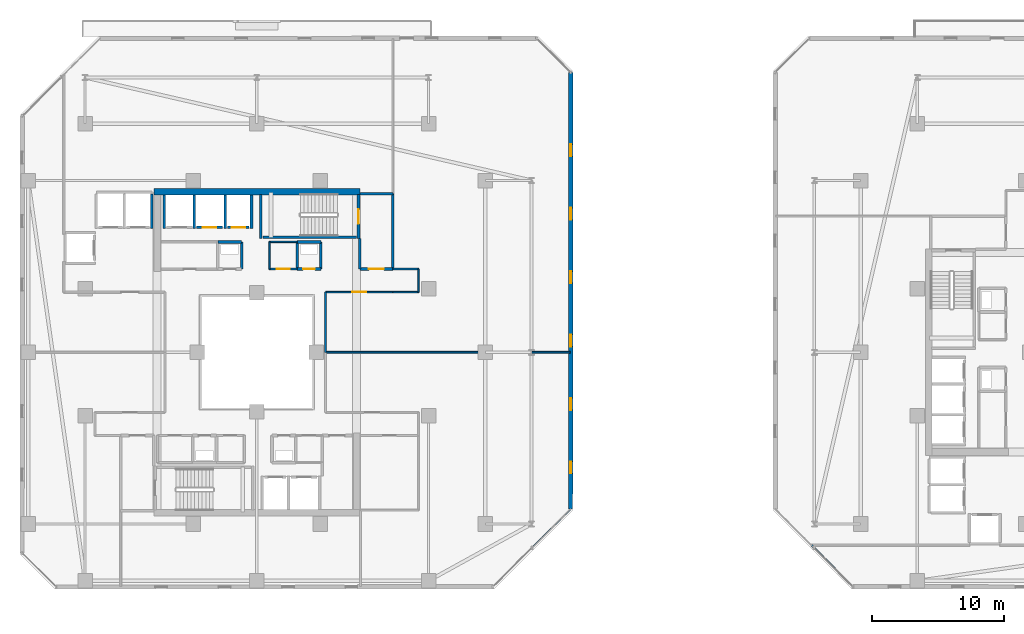
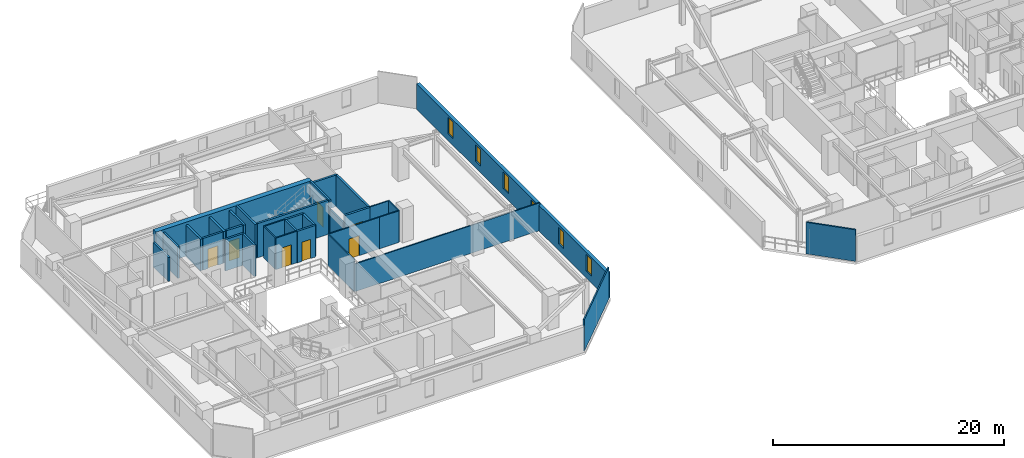
# One storey, part 21 of 32: 33 walls, 7 doors, 6 windows, 13 openings.
"""IFC4 building model written with IfcOpenShell, lengths in metres."""

from ifc_helpers import new_model, si_unit, direction, frame, frame_2d, origin, place, context, subcontext, project, spatial, rectangle, extrude, material, layer, layer_set, type_object, element, fill, save


model = new_model("IFC4")

# Units and contexts
model_context = context("Model", 3, precision=1e-05, world=origin(), true_north=direction((0.0, 1.0)))
body_context = subcontext(model_context, "Body", "Model", "MODEL_VIEW")
ifc_project = project(units=[si_unit("LENGTHUNIT", "METRE"), si_unit("AREAUNIT", "SQUARE_METRE"), si_unit("VOLUMEUNIT", "CUBIC_METRE"), si_unit("PLANEANGLEUNIT", "RADIAN"), si_unit("MASSUNIT", "GRAM", prefix="KILO")], contexts=[model_context])

# Site, building, storey
site_placement = place(None, origin())
site = spatial("IfcSite", under=ifc_project, at=site_placement, CompositionType="ELEMENT")
building_placement = place(site_placement, origin())
building = spatial("IfcBuilding", under=site, at=building_placement, Name="Thornwick Lancets Civic Towers", CompositionType="ELEMENT")
storey_placement = place(building_placement, frame((0.0, 0.0, 178.5)))
storey = spatial("IfcBuildingStorey", under=building, at=storey_placement, Name="L47", CompositionType="ELEMENT", Elevation=178.5)

# Wall, opening, door
ifc_material_1 = material(Name="Concrete blockwork C40/50", Category="masonry")
ifc_layer_1 = layer(ifc_material_1, 0.199951171875, Name="Concrete blockwork C40/50")
ifc_layer_set_1 = layer_set([ifc_layer_1], Name="Concrete blockwork C40/50")
wall_type_1 = type_object("IfcWallType", Name="WALL_COMP_200", PredefinedType="STANDARD", material=ifc_layer_set_1)
wall_1_placement = place(storey_placement, frame((24.919921875, 36.449951171875, 0.0), z_axis=(0.0, 0.0, 1.0), x_axis=(-1.0, 0.0, 0.0)))
wall_1 = element("IfcWall", 1, at=wall_1_placement, inside=storey, type_object=wall_type_1, Name="L47 Hoistway Front Wall FL-A2", PredefinedType="STANDARD", context=body_context, shape_type="SweptSolid", body=[
    extrude(rectangle(XDim=1.639892578125, YDim=0.199951171875, at=frame_2d((0.81982421875, 0.0))), origin(), (0.0, 0.0, 1.0), 3.340087890625),
])
opening_1_placement = place(wall_1_placement, frame((0.31005859375, 0.0, 0.0)))
opening_1 = element("IfcOpeningElement", 2, at=opening_1_placement, cuts=wall_1, Name="Opening LD-FL-A2", PredefinedType="OPENING", context=body_context, shape_type="SweptSolid", body=[
    extrude(rectangle(XDim=1.02001953125, YDim=2.06005859375, at=frame_2d((0.510009765625, 1.030029296875))), frame((0.0, 0.10986328125, 0.0), z_axis=(0.0, -1.0, 0.0), x_axis=(1.0, 0.0, 0.0)), (0.0, 0.0, 1.0), 0.219970703125),
])
ifc_material_2 = material(Name="Brushed bronze stainless steel", Category="steel")
door_type_1 = type_object("IfcDoorType", Name="DOOR_LIFT_SLIDE", OperationType="SLIDING_TO_LEFT", PredefinedType="DOOR", material=ifc_material_2)
door_1_placement = place(opening_1_placement, origin())
door_1 = element("IfcDoor", 3, at=door_1_placement, inside=storey, type_object=door_type_1, Name="L47 Sliding Lift Landing Door LD-FL-A2", OperationType="SLIDING_TO_LEFT", OverallHeight=2.06005859375, OverallWidth=1.02001953125, PredefinedType="DOOR", context=body_context, shape_type="SweptSolid", body=[
    extrude(rectangle(XDim=1.02001953125, YDim=2.06005859375, at=frame_2d((0.510009765625, 1.030029296875))), frame((0.0, 0.02490234375, 0.0), z_axis=(0.0, -1.0, 0.0), x_axis=(1.0, 0.0, 0.0)), (0.0, 0.0, 1.0), 0.050048828125),
])
fill(opening_1, door_1)

wall_2_placement = place(storey_placement, frame((22.919921875, 36.449951171875, 0.0), z_axis=(0.0, 0.0, 1.0), x_axis=(-1.0, 0.0, 0.0)))
wall_2 = element("IfcWall", 4, at=wall_2_placement, inside=storey, type_object=wall_type_1, Name="L47 Hoistway Front Wall PL-AH2", PredefinedType="STANDARD", context=body_context, shape_type="SweptSolid", body=[
    extrude(rectangle(XDim=1.989990234375, YDim=0.199951171875, at=frame_2d((0.9951171875, 0.0))), origin(), (0.0, 0.0, 1.0), 3.340087890625),
])
opening_2_placement = place(wall_2_placement, frame((0.485107421875, 0.0, 0.0)))
opening_2 = element("IfcOpeningElement", 5, at=opening_2_placement, cuts=wall_2, Name="Opening LD-PL-AH2", PredefinedType="OPENING", context=body_context, shape_type="SweptSolid", body=[
    extrude(rectangle(XDim=1.02001953125, YDim=2.06005859375, at=frame_2d((0.510009765625, 1.030029296875))), frame((0.0, 0.10986328125, 0.0), z_axis=(0.0, -1.0, 0.0), x_axis=(1.0, 0.0, 0.0)), (0.0, 0.0, 1.0), 0.219970703125),
])
door_2_placement = place(opening_2_placement, origin())
door_2 = element("IfcDoor", 6, at=door_2_placement, inside=storey, type_object=door_type_1, Name="L47 Sliding Lift Landing Door LD-PL-AH2", OperationType="SLIDING_TO_LEFT", OverallHeight=2.06005859375, OverallWidth=1.02001953125, PredefinedType="DOOR", context=body_context, shape_type="SweptSolid", body=[
    extrude(rectangle(XDim=1.02001953125, YDim=2.06005859375, at=frame_2d((0.510009765625, 1.030029296875))), frame((0.0, 0.02490234375, 0.0), z_axis=(0.0, -1.0, 0.0), x_axis=(1.0, 0.0, 0.0)), (0.0, 0.0, 1.0), 0.050048828125),
])
fill(opening_2, door_2)

# Walls
for number, where, z_axis, x_axis, name in (
    (7, (25.10009765625, 36.35205078125, 0.0), (0.0, 0.0, 1.0), (0.0, 1.0, 0.0), "L47 Hoistway Shaft Wall FL-A2 E"),
    (8, (23.10009765625, 36.35205078125, 0.0), (0.0, 0.0, 1.0), (0.0, 1.0, 0.0), "L47 Hoistway Shaft Wall FL-A2 W"),
    (9, (20.77490234375, 36.35205078125, 0.0), (0.0, 0.0, 1.0), (0.0, 1.0, 0.0), "L47 Hoistway Shaft Wall PL-AH2 W"),
    (10, (18.5, 36.35205078125, 0.0), (0.0, 0.0, 1.0), (0.0, 1.0, 0.0), "L47 Hoistway Shaft Wall PL-AH3 W"),
):
    element("IfcWall", number, at=place(storey_placement, frame(where, z_axis=z_axis, x_axis=x_axis)), inside=storey, type_object=wall_type_1, Name=name, PredefinedType="STANDARD", context=body_context, shape_type="SweptSolid", body=[
        extrude(rectangle(XDim=2.535888671875, YDim=0.199951171875, at=frame_2d((1.26806640625, 0.0))), origin(), (0.0, 0.0, 1.0), 3.340087890625),
    ])
wall_3_placement = place(storey_placement, frame((17.550048828125, 36.35205078125, 0.0), z_axis=(0.0, 0.0, 1.0), x_axis=(0.0, 1.0, 0.0)))
element("IfcWall", 11, at=wall_3_placement, inside=storey, type_object=wall_type_1, Name="L47 Hoistway Shaft Wall PL-AM1 E", PredefinedType="STANDARD", context=body_context, shape_type="SweptSolid", body=[
    extrude(rectangle(XDim=2.635986328125, YDim=0.199951171875, at=frame_2d((1.31787109375, 0.0))), origin(), (0.0, 0.0, 1.0), 2.544921875),
])

# Wall, opening, door
wall_4_placement = place(storey_placement, frame((33.300048828125, 33.300048828125, 0.0), z_axis=(0.0, 0.0, 1.0), x_axis=(1.0, 0.0, 0.0)))
wall_4 = element("IfcWall", 12, at=wall_4_placement, inside=storey, type_object=wall_type_1, Name="L47 Partition L47-A-FFLOB2 E1", PredefinedType="STANDARD", context=body_context, shape_type="SweptSolid", body=[
    extrude(rectangle(XDim=2.5, YDim=0.199951171875, at=frame_2d((1.25, 0.0))), origin(), (0.0, 0.0, 1.0), 3.340087890625),
])
opening_3_placement = place(wall_4_placement, frame((0.675048828125, 0.0, 0.0)))
opening_3 = element("IfcOpeningElement", 13, at=opening_3_placement, cuts=wall_4, Name="Opening D-L47-2088", PredefinedType="OPENING", context=body_context, shape_type="SweptSolid", body=[
    extrude(rectangle(XDim=1.14990234375, YDim=2.10009765625, at=frame_2d((0.574951171875, 1.050048828125))), frame((0.0, 0.10986328125, 0.0), z_axis=(0.0, -1.0, 0.0), x_axis=(1.0, 0.0, 0.0)), (0.0, 0.0, 1.0), 0.219970703125),
])
ifc_material_3 = material(Name="Glazed fire-resisting steel", Category="steel")
door_type_2 = type_object("IfcDoorType", Name="DOOR_LOBBY_FD60", OperationType="NOTDEFINED", PredefinedType="DOOR", material=ifc_material_3)
door_3_placement = place(opening_3_placement, origin())
door_3 = element("IfcDoor", 14, at=door_3_placement, inside=storey, type_object=door_type_2, Name="L47 North Firefighting Lobby 2 Door", OperationType="SINGLE_SWING_LEFT", OverallHeight=2.10009765625, OverallWidth=1.14990234375, PredefinedType="DOOR", context=body_context, shape_type="SweptSolid", body=[
    extrude(rectangle(XDim=1.14990234375, YDim=2.10009765625, at=frame_2d((0.574951171875, 1.050048828125))), frame((0.0, 0.02490234375, 0.0), z_axis=(0.0, -1.0, 0.0), x_axis=(1.0, 0.0, 0.0)), (0.0, 0.0, 1.0), 0.050048828125),
])
fill(opening_3, door_3)

# Walls
wall_5_placement = place(storey_placement, frame((35.800048828125, 33.300048828125, 0.0), z_axis=(0.0, 0.0, 1.0), x_axis=(0.0, 1.0, 0.0)))
element("IfcWall", 15, at=wall_5_placement, inside=storey, type_object=wall_type_1, Name="L47 Partition L47-A-FFLOB2 E2", PredefinedType="STANDARD", context=body_context, shape_type="SweptSolid", body=[
    extrude(rectangle(XDim=5.699951171875, YDim=0.199951171875, at=frame_2d((2.85009765625, 0.0))), origin(), (0.0, 0.0, 1.0), 3.340087890625),
])
wall_6_placement = place(storey_placement, frame((35.800048828125, 39.0, 0.0), z_axis=(0.0, 0.0, 1.0), x_axis=(-1.0, 0.0, 0.0)))
element("IfcWall", 16, at=wall_6_placement, inside=storey, type_object=wall_type_1, Name="L47 Partition L47-A-FFLOB2 E3", PredefinedType="STANDARD", context=body_context, shape_type="SweptSolid", body=[
    extrude(rectangle(XDim=2.5, YDim=0.199951171875, at=frame_2d((1.25, 0.0))), origin(), (0.0, 0.0, 1.0), 3.340087890625),
])
wall_7_placement = place(storey_placement, frame((33.300048828125, 35.60009765625, 0.0), z_axis=(0.0, 0.0, 1.0), x_axis=(0.0, -1.0, 0.0)))
element("IfcWall", 17, at=wall_7_placement, inside=storey, type_object=wall_type_1, Name="L47 Partition L47-A-FFLOB2 E4", PredefinedType="STANDARD", context=body_context, shape_type="SweptSolid", body=[
    extrude(rectangle(XDim=2.300048828125, YDim=0.199951171875, at=frame_2d((1.14990234375, 0.0))), origin(), (0.0, 0.0, 1.0), 2.544921875),
])
wall_8_placement = place(storey_placement, frame((24.35009765625, 33.300048828125, 0.0), z_axis=(0.0, 0.0, 1.0), x_axis=(0.0, 1.0, 0.0)))
element("IfcWall", 18, at=wall_8_placement, inside=storey, type_object=wall_type_1, Name="L47 Partition L47-A-DUCT2 E2", PredefinedType="STANDARD", context=body_context, shape_type="SweptSolid", body=[
    extrude(rectangle(XDim=2.050048828125, YDim=0.199951171875, at=frame_2d((1.02490234375, 0.0))), origin(), (0.0, 0.0, 1.0), 3.340087890625),
])
wall_9_placement = place(storey_placement, frame((24.35009765625, 35.35009765625, 0.0), z_axis=(0.0, 0.0, 1.0), x_axis=(-1.0, 0.0, 0.0)))
element("IfcWall", 19, at=wall_9_placement, inside=storey, type_object=wall_type_1, Name="L47 Partition L47-A-DUCT2 E3", PredefinedType="STANDARD", context=body_context, shape_type="SweptSolid", body=[
    extrude(rectangle(XDim=1.800048828125, YDim=0.199951171875, at=frame_2d((0.89990234375, 0.0))), origin(), (0.0, 0.0, 1.0), 3.340087890625),
])

# Wall, opening, door
wall_10_placement = place(storey_placement, frame((28.550048828125, 33.300048828125, 0.0), z_axis=(0.0, 0.0, 1.0), x_axis=(1.0, 0.0, 0.0)))
wall_10 = element("IfcWall", 20, at=wall_10_placement, inside=storey, type_object=wall_type_1, Name="L47 Partition L47-A-RISER2 E1", PredefinedType="STANDARD", context=body_context, shape_type="SweptSolid", body=[
    extrude(rectangle(XDim=1.800048828125, YDim=0.199951171875, at=frame_2d((0.89990234375, 0.0))), origin(), (0.0, 0.0, 1.0), 3.340087890625),
])
opening_4_placement = place(wall_10_placement, frame((0.4599609375, 0.0, 0.0)))
opening_4 = element("IfcOpeningElement", 21, at=opening_4_placement, cuts=wall_10, Name="Opening D-L47-2092", PredefinedType="OPENING", context=body_context, shape_type="SweptSolid", body=[
    extrude(rectangle(XDim=0.8798828125, YDim=2.0400390625, at=frame_2d((0.43994140625, 1.02001953125))), frame((0.0, 0.10986328125, 0.0), z_axis=(0.0, -1.0, 0.0), x_axis=(1.0, 0.0, 0.0)), (0.0, 0.0, 1.0), 0.219970703125),
])
ifc_material_4 = material(Name="Steel riser access doorset", Category="steel")
door_type_3 = type_object("IfcDoorType", Name="DOOR_RISER_850", OperationType="NOTDEFINED", PredefinedType="DOOR", material=ifc_material_4)
door_4_placement = place(opening_4_placement, origin())
door_4 = element("IfcDoor", 22, at=door_4_placement, inside=storey, type_object=door_type_3, Name="L47 North Service Riser 2 Door", OperationType="SINGLE_SWING_LEFT", OverallHeight=2.0400390625, OverallWidth=0.8798828125, PredefinedType="DOOR", context=body_context, shape_type="SweptSolid", body=[
    extrude(rectangle(XDim=0.8798828125, YDim=2.0400390625, at=frame_2d((0.43994140625, 1.02001953125))), frame((0.0, 0.02490234375, 0.0), z_axis=(0.0, -1.0, 0.0), x_axis=(1.0, 0.0, 0.0)), (0.0, 0.0, 1.0), 0.050048828125),
])
fill(opening_4, door_4)

# Walls
wall_11_placement = place(storey_placement, frame((30.35009765625, 33.300048828125, 0.0), z_axis=(0.0, 0.0, 1.0), x_axis=(0.0, 1.0, 0.0)))
element("IfcWall", 23, at=wall_11_placement, inside=storey, type_object=wall_type_1, Name="L47 Partition L47-A-RISER2 E2", PredefinedType="STANDARD", context=body_context, shape_type="SweptSolid", body=[
    extrude(rectangle(XDim=2.050048828125, YDim=0.199951171875, at=frame_2d((1.02490234375, 0.0))), origin(), (0.0, 0.0, 1.0), 3.340087890625),
])
wall_12_placement = place(storey_placement, frame((30.35009765625, 35.35009765625, 0.0), z_axis=(0.0, 0.0, 1.0), x_axis=(-1.0, 0.0, 0.0)))
element("IfcWall", 24, at=wall_12_placement, inside=storey, type_object=wall_type_1, Name="L47 Partition L47-A-RISER2 E3", PredefinedType="STANDARD", context=body_context, shape_type="SweptSolid", body=[
    extrude(rectangle(XDim=1.800048828125, YDim=0.199951171875, at=frame_2d((0.89990234375, 0.0))), origin(), (0.0, 0.0, 1.0), 3.340087890625),
])
wall_13_placement = place(storey_placement, frame((28.550048828125, 35.35009765625, 0.0), z_axis=(0.0, 0.0, 1.0), x_axis=(0.0, -1.0, 0.0)))
element("IfcWall", 25, at=wall_13_placement, inside=storey, type_object=wall_type_1, Name="L47 Partition L47-A-RISER2 E4", PredefinedType="STANDARD", context=body_context, shape_type="SweptSolid", body=[
    extrude(rectangle(XDim=2.050048828125, YDim=0.199951171875, at=frame_2d((1.02490234375, 0.0))), origin(), (0.0, 0.0, 1.0), 3.340087890625),
])
ifc_material_5 = material(Name="Concrete C50/60", Category="concrete")
ifc_layer_2 = layer(ifc_material_5, 0.5, Name="Concrete C50/60")
ifc_layer_set_2 = layer_set([ifc_layer_2], Name="Concrete C50/60")
wall_type_2 = type_object("IfcWallType", Name="WALL_CORE_500", PredefinedType="SHEAR", material=ifc_layer_set_2)
wall_14_placement = place(storey_placement, frame((17.699951171875, 39.14990234375, 0.0), z_axis=(0.0, 0.0, 1.0), x_axis=(1.0, 0.0, 0.0)))
element("IfcWall", 26, at=wall_14_placement, inside=storey, type_object=wall_type_2, Name="L47 Split Core A2 Shear Wall N", PredefinedType="SHEAR", context=body_context, shape_type="SweptSolid", body=[
    extrude(rectangle(XDim=15.60009765625, YDim=0.5, at=frame_2d((7.800048828125, 0.0))), origin(), (0.0, 0.0, 1.0), 3.60009765625),
])

# Wall, openings, windows
ifc_material_6 = material(Name="Insulated buff terracotta rainscreen on concrete C40/50", Category="masonry")
ifc_layer_3 = layer(ifc_material_6, 0.320068359375, Name="Insulated buff terracotta rainscreen on concrete C40/50")
ifc_layer_set_3 = layer_set([ifc_layer_3], Name="Insulated buff terracotta rainscreen on concrete C40/50")
wall_type_3 = type_object("IfcWallType", Name="WALL_EXT_TERRA_320", PredefinedType="STANDARD", material=ifc_layer_set_3)
wall_15_placement = place(storey_placement, frame((49.253662109375, 15.127685546875, 0.0), z_axis=(0.0, 0.0, 1.0), x_axis=(0.000332378036, 0.999999944762, 0.0)))
wall_15 = element("IfcWall", 27, at=wall_15_placement, inside=storey, type_object=wall_type_3, Name="L47 Tower A Terracotta Facade Wall E2", PredefinedType="STANDARD", context=body_context, shape_type="SweptSolid", body=[
    extrude(rectangle(XDim=33.0537109375, YDim=0.320068359375, at=frame_2d((16.52685546875, 0.0))), origin(), (0.0, 0.0, 1.0), 2.699951171875),
])
opening_5_placement = place(wall_15_placement, frame((2.699951171875, 0.0, 0.719970703125)))
opening_5 = element("IfcOpeningElement", 28, at=opening_5_placement, cuts=wall_15, Name="Opening WL-01", PredefinedType="OPENING", context=body_context, shape_type="SweptSolid", body=[
    extrude(rectangle(XDim=0.89990234375, YDim=1.75, at=frame_2d((0.449951171875, 0.875))), frame((0.0, 0.169921875, 0.0), z_axis=(0.0, -1.0, 0.0), x_axis=(1.0, 0.0, 0.0)), (0.0, 0.0, 1.0), 0.340087890625),
])
opening_6_placement = place(wall_15_placement, frame((7.5, 0.0, 0.719970703125)))
opening_6 = element("IfcOpeningElement", 29, at=opening_6_placement, cuts=wall_15, Name="Opening WL-01", PredefinedType="OPENING", context=body_context, shape_type="SweptSolid", body=[
    extrude(rectangle(XDim=0.89990234375, YDim=1.75, at=frame_2d((0.449951171875, 0.875))), frame((0.0, 0.169921875, 0.0), z_axis=(0.0, -1.0, 0.0), x_axis=(1.0, 0.0, 0.0)), (0.0, 0.0, 1.0), 0.340087890625),
])
opening_7_placement = place(wall_15_placement, frame((12.300048828125, 0.0, 0.719970703125)))
opening_7 = element("IfcOpeningElement", 30, at=opening_7_placement, cuts=wall_15, Name="Opening WL-01", PredefinedType="OPENING", context=body_context, shape_type="SweptSolid", body=[
    extrude(rectangle(XDim=0.89990234375, YDim=1.75, at=frame_2d((0.449951171875, 0.875))), frame((0.0, 0.169921875, 0.0), z_axis=(0.0, -1.0, 0.0), x_axis=(1.0, 0.0, 0.0)), (0.0, 0.0, 1.0), 0.340087890625),
])
opening_8_placement = place(wall_15_placement, frame((17.10009765625, 0.0, 0.719970703125)))
opening_8 = element("IfcOpeningElement", 31, at=opening_8_placement, cuts=wall_15, Name="Opening WL-01", PredefinedType="OPENING", context=body_context, shape_type="SweptSolid", body=[
    extrude(rectangle(XDim=0.89990234375, YDim=1.75, at=frame_2d((0.449951171875, 0.875))), frame((0.0, 0.169921875, 0.0), z_axis=(0.0, -1.0, 0.0), x_axis=(1.0, 0.0, 0.0)), (0.0, 0.0, 1.0), 0.340087890625),
])
opening_9_placement = place(wall_15_placement, frame((21.89990234375, 0.0, 0.719970703125)))
opening_9 = element("IfcOpeningElement", 32, at=opening_9_placement, cuts=wall_15, Name="Opening WL-01", PredefinedType="OPENING", context=body_context, shape_type="SweptSolid", body=[
    extrude(rectangle(XDim=0.89990234375, YDim=1.75, at=frame_2d((0.449951171875, 0.875))), frame((0.0, 0.169921875, 0.0), z_axis=(0.0, -1.0, 0.0), x_axis=(1.0, 0.0, 0.0)), (0.0, 0.0, 1.0), 0.340087890625),
])
opening_10_placement = place(wall_15_placement, frame((26.699951171875, 0.0, 0.719970703125)))
opening_10 = element("IfcOpeningElement", 33, at=opening_10_placement, cuts=wall_15, Name="Opening WL-01", PredefinedType="OPENING", context=body_context, shape_type="SweptSolid", body=[
    extrude(rectangle(XDim=0.89990234375, YDim=1.75, at=frame_2d((0.449951171875, 0.875))), frame((0.0, 0.169921875, 0.0), z_axis=(0.0, -1.0, 0.0), x_axis=(1.0, 0.0, 0.0)), (0.0, 0.0, 1.0), 0.340087890625),
])
ifc_material_7 = material(Name="Clear low-e double glazing in bronze frame", Category="glass")
window_type = type_object("IfcWindowType", Name="WIN_LANCET_900", PartitioningType="SINGLE_PANEL", PredefinedType="WINDOW", material=ifc_material_7)
window_1_placement = place(opening_5_placement, origin())
window_1 = element("IfcWindow", 34, at=window_1_placement, inside=storey, type_object=window_type, Name="L47 Tower A Staggered Lancet Window E2-1", OverallHeight=1.75, OverallWidth=0.89990234375, PartitioningType="SINGLE_PANEL", PredefinedType="WINDOW", context=body_context, shape_type="SweptSolid", body=[
    extrude(rectangle(XDim=0.89990234375, YDim=1.75, at=frame_2d((0.449951171875, 0.875))), frame((0.0, 0.030029296875, 0.0), z_axis=(0.0, -1.0, 0.0), x_axis=(1.0, 0.0, 0.0)), (0.0, 0.0, 1.0), 0.06005859375),
])
fill(opening_5, window_1)
window_2_placement = place(opening_6_placement, origin())
window_2 = element("IfcWindow", 35, at=window_2_placement, inside=storey, type_object=window_type, Name="L47 Tower A Staggered Lancet Window E2-2", OverallHeight=1.75, OverallWidth=0.89990234375, PartitioningType="SINGLE_PANEL", PredefinedType="WINDOW", context=body_context, shape_type="SweptSolid", body=[
    extrude(rectangle(XDim=0.89990234375, YDim=1.75, at=frame_2d((0.449951171875, 0.875))), frame((0.0, 0.030029296875, 0.0), z_axis=(0.0, -1.0, 0.0), x_axis=(1.0, 0.0, 0.0)), (0.0, 0.0, 1.0), 0.06005859375),
])
fill(opening_6, window_2)
window_3_placement = place(opening_7_placement, origin())
window_3 = element("IfcWindow", 36, at=window_3_placement, inside=storey, type_object=window_type, Name="L47 Tower A Staggered Lancet Window E2-3", OverallHeight=1.75, OverallWidth=0.89990234375, PartitioningType="SINGLE_PANEL", PredefinedType="WINDOW", context=body_context, shape_type="SweptSolid", body=[
    extrude(rectangle(XDim=0.89990234375, YDim=1.75, at=frame_2d((0.449951171875, 0.875))), frame((0.0, 0.030029296875, 0.0), z_axis=(0.0, -1.0, 0.0), x_axis=(1.0, 0.0, 0.0)), (0.0, 0.0, 1.0), 0.06005859375),
])
fill(opening_7, window_3)
window_4_placement = place(opening_8_placement, origin())
window_4 = element("IfcWindow", 37, at=window_4_placement, inside=storey, type_object=window_type, Name="L47 Tower A Staggered Lancet Window E2-4", OverallHeight=1.75, OverallWidth=0.89990234375, PartitioningType="SINGLE_PANEL", PredefinedType="WINDOW", context=body_context, shape_type="SweptSolid", body=[
    extrude(rectangle(XDim=0.89990234375, YDim=1.75, at=frame_2d((0.449951171875, 0.875))), frame((0.0, 0.030029296875, 0.0), z_axis=(0.0, -1.0, 0.0), x_axis=(1.0, 0.0, 0.0)), (0.0, 0.0, 1.0), 0.06005859375),
])
fill(opening_8, window_4)
window_5_placement = place(opening_9_placement, origin())
window_5 = element("IfcWindow", 38, at=window_5_placement, inside=storey, type_object=window_type, Name="L47 Tower A Staggered Lancet Window E2-5", OverallHeight=1.75, OverallWidth=0.89990234375, PartitioningType="SINGLE_PANEL", PredefinedType="WINDOW", context=body_context, shape_type="SweptSolid", body=[
    extrude(rectangle(XDim=0.89990234375, YDim=1.75, at=frame_2d((0.449951171875, 0.875))), frame((0.0, 0.030029296875, 0.0), z_axis=(0.0, -1.0, 0.0), x_axis=(1.0, 0.0, 0.0)), (0.0, 0.0, 1.0), 0.06005859375),
])
fill(opening_9, window_5)
window_6_placement = place(opening_10_placement, origin())
window_6 = element("IfcWindow", 39, at=window_6_placement, inside=storey, type_object=window_type, Name="L47 Tower A Staggered Lancet Window E2-6", OverallHeight=1.75, OverallWidth=0.89990234375, PartitioningType="SINGLE_PANEL", PredefinedType="WINDOW", context=body_context, shape_type="SweptSolid", body=[
    extrude(rectangle(XDim=0.89990234375, YDim=1.75, at=frame_2d((0.449951171875, 0.875))), frame((0.0, 0.030029296875, 0.0), z_axis=(0.0, -1.0, 0.0), x_axis=(1.0, 0.0, 0.0)), (0.0, 0.0, 1.0), 0.06005859375),
])
fill(opening_10, window_6)

# Walls
ifc_material_8 = material(Name="Acoustic gypsum board partition")
ifc_layer_4 = layer(ifc_material_8, 0.1201171875, Name="Acoustic gypsum board partition")
ifc_layer_set_4 = layer_set([ifc_layer_4], Name="Acoustic gypsum board partition")
wall_type_4 = type_object("IfcWallType", Name="WALL_PART_120", PredefinedType="PARTITIONING", material=ifc_layer_set_4)
wall_16_placement = place(storey_placement, frame((26.449951171875, 33.300048828125, 0.0), z_axis=(0.0, 0.0, 1.0), x_axis=(0.0, 1.0, 0.0)))
element("IfcWall", 40, at=wall_16_placement, inside=storey, type_object=wall_type_4, Name="L47 Partition L47-A-ITR E1", PredefinedType="PARTITIONING", context=body_context, shape_type="SweptSolid", body=[
    extrude(rectangle(XDim=2.050048828125, YDim=0.1201171875, at=frame_2d((1.02490234375, 0.0))), origin(), (0.0, 0.0, 1.0), 3.340087890625),
])
wall_17_placement = place(storey_placement, frame((26.449951171875, 35.35009765625, 0.0), z_axis=(0.0, 0.0, 1.0), x_axis=(1.0, 0.0, 0.0)))
element("IfcWall", 41, at=wall_17_placement, inside=storey, type_object=wall_type_4, Name="L47 Partition L47-A-ITR E2", PredefinedType="PARTITIONING", context=body_context, shape_type="SweptSolid", body=[
    extrude(rectangle(XDim=2.10009765625, YDim=0.1201171875, at=frame_2d((1.050048828125, 0.0))), origin(), (0.0, 0.0, 1.0), 3.340087890625),
])

# Wall, opening, door
wall_18_placement = place(storey_placement, frame((28.550048828125, 33.300048828125, 0.0), z_axis=(0.0, 0.0, 1.0), x_axis=(-1.0, 0.0, 0.0)))
wall_18 = element("IfcWall", 42, at=wall_18_placement, inside=storey, type_object=wall_type_4, Name="L47 Partition L47-A-ITR E4", PredefinedType="PARTITIONING", context=body_context, shape_type="SweptSolid", body=[
    extrude(rectangle(XDim=2.10009765625, YDim=0.1201171875, at=frame_2d((1.050048828125, 0.0))), origin(), (0.0, 0.0, 1.0), 3.340087890625),
])
opening_11_placement = place(wall_18_placement, frame((0.574951171875, 0.0, 0.0)))
opening_11 = element("IfcOpeningElement", 43, at=opening_11_placement, cuts=wall_18, Name="Opening D-L47-2098", PredefinedType="OPENING", context=body_context, shape_type="SweptSolid", body=[
    extrude(rectangle(XDim=0.949951171875, YDim=2.10009765625, at=frame_2d((0.47509765625, 1.050048828125))), frame((0.0, 0.070068359375, 0.0), z_axis=(0.0, -1.0, 0.0), x_axis=(1.0, 0.0, 0.0)), (0.0, 0.0, 1.0), 0.14013671875),
])
ifc_material_9 = material(Name="European oak acoustic doorset")
door_type_4 = type_object("IfcDoorType", Name="DOOR_OFFICE_950", OperationType="NOTDEFINED", PredefinedType="DOOR", material=ifc_material_9)
door_5_placement = place(opening_11_placement, origin())
door_5 = element("IfcDoor", 44, at=door_5_placement, inside=storey, type_object=door_type_4, Name="L47 Tower A Comms Patch Room Door", OperationType="SINGLE_SWING_LEFT", OverallHeight=2.10009765625, OverallWidth=0.949951171875, PredefinedType="DOOR", context=body_context, shape_type="SweptSolid", body=[
    extrude(rectangle(XDim=0.949951171875, YDim=2.10009765625, at=frame_2d((0.47509765625, 1.050048828125))), frame((0.0, 0.02490234375, 0.0), z_axis=(0.0, -1.0, 0.0), x_axis=(1.0, 0.0, 0.0)), (0.0, 0.0, 1.0), 0.050048828125),
])
fill(opening_11, door_5)

# Walls
wall_19_placement = place(storey_placement, frame((30.699951171875, 27.0, 0.0), z_axis=(0.0, 0.0, 1.0), x_axis=(1.0, 0.0, 0.0)))
element("IfcWall", 45, at=wall_19_placement, inside=storey, type_object=wall_type_4, Name="L47 Partition L47-A-E1 E6", PredefinedType="PARTITIONING", context=body_context, shape_type="SweptSolid", body=[
    extrude(rectangle(XDim=18.52001953125, YDim=0.1201171875, at=frame_2d((9.260009765625, 0.0))), origin(), (0.0, 0.0, 1.0), 2.93212890625),
])
wall_20_placement = place(storey_placement, frame((49.219970703125, 15.09765625, 0.0), z_axis=(0.0, 0.0, 1.0), x_axis=(-0.707106781187, -0.707106781187, 0.0)))
element("IfcWall", 46, at=wall_20_placement, inside=storey, type_object=wall_type_4, Name="L47 Partition L47-A-E1 E8", PredefinedType="PARTITIONING", context=body_context, shape_type="SweptSolid", body=[
    extrude(rectangle(XDim=8.227294921875, YDim=0.1201171875, at=frame_2d((4.11376953125, 0.0))), origin(), (0.0, 0.0, 1.0), 3.340087890625),
])

# Wall, opening, door
wall_21_placement = place(storey_placement, frame((30.699951171875, 31.550048828125, 0.0), z_axis=(0.0, 0.0, 1.0), x_axis=(1.0, 0.0, 0.0)))
wall_21 = element("IfcWall", 47, at=wall_21_placement, inside=storey, type_object=wall_type_4, Name="L47 Partition L47-A-E3 E1", PredefinedType="PARTITIONING", context=body_context, shape_type="SweptSolid", body=[
    extrude(rectangle(XDim=5.10009765625, YDim=0.1201171875, at=frame_2d((2.550048828125, 0.0))), origin(), (0.0, 0.0, 1.0), 3.340087890625),
])
opening_12_placement = place(wall_21_placement, frame((2.02490234375, 0.0, 0.0)))
opening_12 = element("IfcOpeningElement", 48, at=opening_12_placement, cuts=wall_21, Name="Opening D-L47-2115", PredefinedType="OPENING", context=body_context, shape_type="SweptSolid", body=[
    extrude(rectangle(XDim=1.050048828125, YDim=2.10009765625, at=frame_2d((0.52490234375, 1.050048828125))), frame((0.0, 0.070068359375, 0.0), z_axis=(0.0, -1.0, 0.0), x_axis=(1.0, 0.0, 0.0)), (0.0, 0.0, 1.0), 0.14013671875),
])
ifc_material_10 = material(Name="Glazed European oak executive doorset")
door_type_5 = type_object("IfcDoorType", Name="DOOR_OFFICE_1050", OperationType="NOTDEFINED", PredefinedType="DOOR", material=ifc_material_10)
door_6_placement = place(opening_12_placement, origin())
door_6 = element("IfcDoor", 49, at=door_6_placement, inside=storey, type_object=door_type_5, Name="L47 Tower A Civic Seminar Room Door", OperationType="SINGLE_SWING_RIGHT", OverallHeight=2.10009765625, OverallWidth=1.050048828125, PredefinedType="DOOR", context=body_context, shape_type="SweptSolid", body=[
    extrude(rectangle(XDim=1.050048828125, YDim=2.10009765625, at=frame_2d((0.52490234375, 1.050048828125))), frame((0.0, 0.02490234375, 0.0), z_axis=(0.0, -1.0, 0.0), x_axis=(1.0, 0.0, 0.0)), (0.0, 0.0, 1.0), 0.050048828125),
])
fill(opening_12, door_6)

# Walls
wall_22_placement = place(storey_placement, frame((35.800048828125, 31.550048828125, 0.0), z_axis=(0.0, 0.0, 1.0), x_axis=(1.0, 0.0, 0.0)))
element("IfcWall", 50, at=wall_22_placement, inside=storey, type_object=wall_type_4, Name="L47 Partition L47-A-E3 E2", PredefinedType="PARTITIONING", context=body_context, shape_type="SweptSolid", body=[
    extrude(rectangle(XDim=1.949951171875, YDim=0.1201171875, at=frame_2d((0.97509765625, 0.0))), origin(), (0.0, 0.0, 1.0), 3.340087890625),
])
wall_23_placement = place(storey_placement, frame((37.75, 31.550048828125, 0.0), z_axis=(0.0, 0.0, 1.0), x_axis=(0.0, 1.0, 0.0)))
element("IfcWall", 51, at=wall_23_placement, inside=storey, type_object=wall_type_4, Name="L47 Partition L47-A-E3 E3", PredefinedType="PARTITIONING", context=body_context, shape_type="SweptSolid", body=[
    extrude(rectangle(XDim=1.75, YDim=0.1201171875, at=frame_2d((0.875, 0.0))), origin(), (0.0, 0.0, 1.0), 3.340087890625),
])
wall_24_placement = place(storey_placement, frame((37.75, 33.300048828125, 0.0), z_axis=(0.0, 0.0, 1.0), x_axis=(-1.0, 0.0, 0.0)))
element("IfcWall", 52, at=wall_24_placement, inside=storey, type_object=wall_type_4, Name="L47 Partition L47-A-E3 E4", PredefinedType="PARTITIONING", context=body_context, shape_type="SweptSolid", body=[
    extrude(rectangle(XDim=1.949951171875, YDim=0.1201171875, at=frame_2d((0.97509765625, 0.0))), origin(), (0.0, 0.0, 1.0), 3.340087890625),
])
wall_25_placement = place(storey_placement, frame((30.699951171875, 27.0, 0.0), z_axis=(0.0, 0.0, 1.0), x_axis=(0.0, 1.0, 0.0)))
element("IfcWall", 53, at=wall_25_placement, inside=storey, type_object=wall_type_4, Name="L47 Partition L47-A-E3 E11", PredefinedType="PARTITIONING", context=body_context, shape_type="SweptSolid", body=[
    extrude(rectangle(XDim=4.550048828125, YDim=0.1201171875, at=frame_2d((2.27490234375, 0.0))), origin(), (0.0, 0.0, 1.0), 3.340087890625),
])
ifc_material_11 = material(Name="Twin-stud acoustic gypsum board")
ifc_layer_5 = layer(ifc_material_11, 0.14990234375, Name="Twin-stud acoustic gypsum board")
ifc_layer_set_5 = layer_set([ifc_layer_5], Name="Twin-stud acoustic gypsum board")
wall_type_5 = type_object("IfcWallType", Name="WALL_PART_150", PredefinedType="PARTITIONING", material=ifc_layer_set_5)
wall_26_placement = place(storey_placement, frame((70.59765625, 9.280029296875, 0.0), z_axis=(0.0, 0.0, 1.0), x_axis=(-0.707134446312, 0.707079114978, 0.0)))
element("IfcWall", 54, at=wall_26_placement, inside=storey, type_object=wall_type_5, Name="L47 Partition L47-B-W2 E5", PredefinedType="PARTITIONING", context=body_context, shape_type="SweptSolid", body=[
    extrude(rectangle(XDim=4.412353515625, YDim=0.14990234375, at=frame_2d((2.2060546875, 0.0))), origin(), (0.0, 0.0, 1.0), 3.340087890625),
])

# Wall, opening, door
ifc_material_12 = material(Name="Concrete C40/50", Category="concrete")
ifc_layer_6 = layer(ifc_material_12, 0.199951171875, Name="Concrete C40/50")
ifc_layer_set_6 = layer_set([ifc_layer_6], Name="Concrete C40/50")
wall_type_6 = type_object("IfcWallType", Name="WALL_SHAFT_200", PredefinedType="SHEAR", material=ifc_layer_set_6)
wall_27_placement = place(storey_placement, frame((33.199951171875, 38.949951171875, 0.0), z_axis=(0.0, 0.0, 1.0), x_axis=(0.0, -1.0, 0.0)))
wall_27 = element("IfcWall", 55, at=wall_27_placement, inside=storey, type_object=wall_type_6, Name="L47 ST-A2 Fire Stair Core Wall NEAR", PredefinedType="SHEAR", context=body_context, shape_type="SweptSolid", body=[
    extrude(rectangle(XDim=3.349853515625, YDim=0.199951171875, at=frame_2d((1.6748046875, 0.0))), origin(), (0.0, 0.0, 1.0), 3.60009765625),
])
opening_13_placement = place(wall_27_placement, frame((1.125, 0.0, 0.0)))
opening_13 = element("IfcOpeningElement", 56, at=opening_13_placement, cuts=wall_27, Name="Opening D-ST-A2-L47", PredefinedType="OPENING", context=body_context, shape_type="SweptSolid", body=[
    extrude(rectangle(XDim=1.10009765625, YDim=2.10009765625, at=frame_2d((0.550048828125, 1.050048828125))), frame((0.0, 0.10986328125, 0.0), z_axis=(0.0, -1.0, 0.0), x_axis=(1.0, 0.0, 0.0)), (0.0, 0.0, 1.0), 0.219970703125),
])
ifc_material_13 = material(Name="Fire-resisting steel and hardwood", Category="steel")
door_type_6 = type_object("IfcDoorType", Name="DOOR_STAIR_FD60", OperationType="NOTDEFINED", PredefinedType="DOOR", material=ifc_material_13)
door_7_placement = place(opening_13_placement, origin())
door_7 = element("IfcDoor", 57, at=door_7_placement, inside=storey, type_object=door_type_6, Name="L47 ST-A2 Exit Stair Door", OperationType="SINGLE_SWING_LEFT", OverallHeight=2.10009765625, OverallWidth=1.10009765625, PredefinedType="DOOR", context=body_context, shape_type="SweptSolid", body=[
    extrude(rectangle(XDim=1.10009765625, YDim=2.10009765625, at=frame_2d((0.550048828125, 1.050048828125))), frame((0.0, 0.02490234375, 0.0), z_axis=(0.0, -1.0, 0.0), x_axis=(1.0, 0.0, 0.0)), (0.0, 0.0, 1.0), 0.050048828125),
])
fill(opening_13, door_7)

# Walls
wall_28_placement = place(storey_placement, frame((25.800048828125, 35.60009765625, 0.0), z_axis=(0.0, 0.0, 1.0), x_axis=(0.0, 1.0, 0.0)))
element("IfcWall", 58, at=wall_28_placement, inside=storey, type_object=wall_type_6, Name="L47 ST-A2 Fire Stair Core Wall FAR", PredefinedType="SHEAR", context=body_context, shape_type="SweptSolid", body=[
    extrude(rectangle(XDim=3.349853515625, YDim=0.199951171875, at=frame_2d((1.6748046875, 0.0))), origin(), (0.0, 0.0, 1.0), 3.60009765625),
])
wall_29_placement = place(storey_placement, frame((25.949951171875, 35.702880859375, 0.0), z_axis=(0.0, 0.0, 1.0), x_axis=(1.0, 0.0, 0.0)))
element("IfcWall", 59, at=wall_29_placement, inside=storey, type_object=wall_type_6, Name="L47 ST-A2 Fire Stair Core Wall RIGHT", PredefinedType="SHEAR", context=body_context, shape_type="SweptSolid", body=[
    extrude(rectangle(XDim=7.10009765625, YDim=0.199951171875, at=frame_2d((3.550048828125, 0.0))), origin(), (0.0, 0.0, 1.0), 3.60009765625),
])

save(model, "model.ifc")
